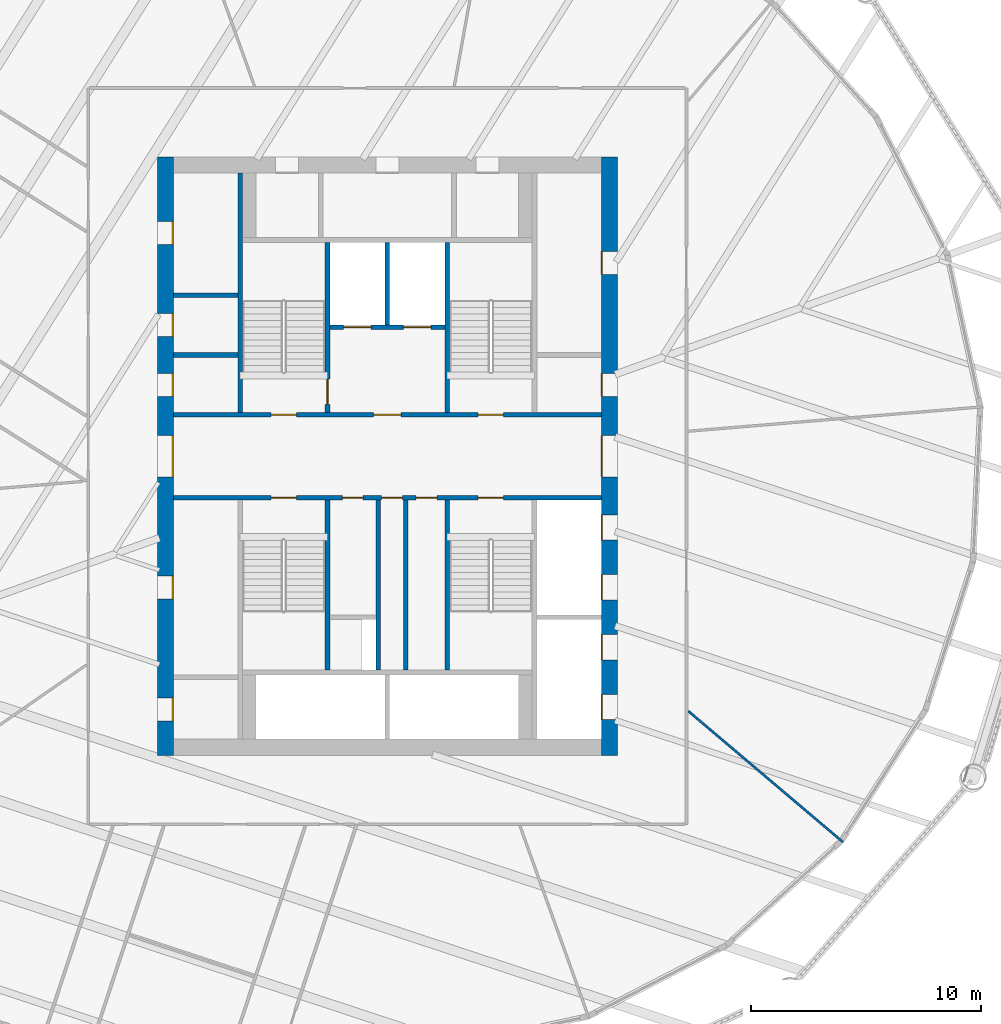
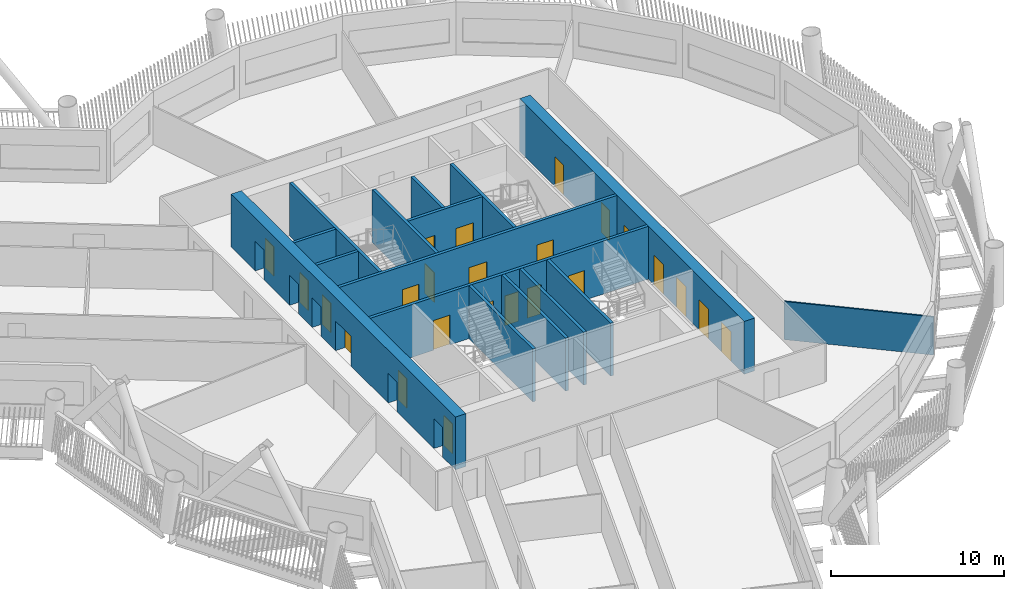
# One storey, part 5 of 22: 24 doors, 16 walls, 24 openings.
"""IFC4 building model written with IfcOpenShell, lengths in metres."""

from ifc_helpers import new_model, si_unit, direction, frame, frame_2d, origin, place, context, subcontext, project, spatial, rectangle, extrude, material, layer, layer_set, type_object, element, fill, save


model = new_model("IFC4")

# Units and contexts
model_context = context("Model", 3, precision=1e-05, world=origin(), true_north=direction((0.0, 1.0)))
body_context = subcontext(model_context, "Body", "Model", "MODEL_VIEW")
ifc_project = project(units=[si_unit("LENGTHUNIT", "METRE"), si_unit("AREAUNIT", "SQUARE_METRE"), si_unit("VOLUMEUNIT", "CUBIC_METRE"), si_unit("PLANEANGLEUNIT", "RADIAN"), si_unit("MASSUNIT", "GRAM", prefix="KILO")], contexts=[model_context])

# Site, building, storey
site_placement = place(None, origin())
site = spatial("IfcSite", under=ifc_project, at=site_placement, CompositionType="ELEMENT")
building_placement = place(site_placement, origin())
building = spatial("IfcBuilding", under=site, at=building_placement, Name="Tarsis Ring Headquarters", CompositionType="ELEMENT")
storey_placement = place(building_placement, frame((0.0, 0.0, 147.60009765625)))
storey = spatial("IfcBuildingStorey", under=building, at=storey_placement, Name="L33", CompositionType="ELEMENT", Elevation=147.60009765625)

# Walls
ifc_material_1 = material(Name="Blockwork", Category="masonry")
ifc_layer_1 = layer(ifc_material_1, 0.199951171875)
ifc_layer_set_1 = layer_set([ifc_layer_1], Name="Core blockwork wall 200")
wall_type_1 = type_object("IfcWallType", Name="Core blockwork wall 200", PredefinedType="PARTITIONING", material=ifc_layer_set_1)
for number, where, z_axis, x_axis, name in (
    (1, (-9.300048828125, 4.39990234375, 0.0), (0.0, 0.0, 1.0), (1.0, 0.0, 0.0), "Core partition WD5"),
    (2, (-9.300048828125, 7.0, 0.0), (0.0, 0.0, 1.0), (1.0, 0.0, 0.0), "Core partition WD6"),
):
    element("IfcWall", number, at=place(storey_placement, frame(where, z_axis=z_axis, x_axis=x_axis)), inside=storey, type_object=wall_type_1, Name=name, PredefinedType="PARTITIONING", context=body_context, shape_type="SweptSolid", body=[
        extrude(rectangle(XDim=2.800048828125, YDim=0.199951171875, at=frame_2d((1.39990234375, 0.0))), origin(), (0.0, 0.0, 1.0), 3.739990234375),
    ])
for number, where, z_axis, x_axis, name in (
    (3, (-0.39990234375, -9.300048828125, 0.0), (0.0, 0.0, 1.0), (0.0, 1.0, 0.0), "Core partition SV1"),
    (4, (0.800048828125, -9.300048828125, 0.0), (0.0, 0.0, 1.0), (0.0, 1.0, 0.0), "Core partition SV2"),
):
    element("IfcWall", number, at=place(storey_placement, frame(where, z_axis=z_axis, x_axis=x_axis)), inside=storey, type_object=wall_type_1, Name=name, PredefinedType="PARTITIONING", context=body_context, shape_type="SweptSolid", body=[
        extrude(rectangle(XDim=7.400146484375, YDim=0.199951171875, at=frame_2d((3.7001953125, 0.0))), origin(), (0.0, 0.0, 1.0), 3.739990234375),
    ])

# Wall, openings, doors
ifc_material_2 = material(Name="Concrete C60/75", Category="concrete")
ifc_layer_2 = layer(ifc_material_2, 0.699951171875)
ifc_layer_set_2 = layer_set([ifc_layer_2], Name="Core wall 700 C60/75")
wall_type_2 = type_object("IfcWallType", Name="Core wall 700 C60/75", PredefinedType="SHEAR", material=ifc_layer_set_2)
wall_1_placement = place(storey_placement, frame((-9.64990234375, -13.0, 0.0), z_axis=(0.0, 0.0, 1.0), x_axis=(0.0, 1.0, 0.0)))
wall_1 = element("IfcWall", 5, at=wall_1_placement, inside=storey, type_object=wall_type_2, Name="Core wall OW", PredefinedType="SHEAR", context=body_context, shape_type="SweptSolid", body=[
    extrude(rectangle(XDim=26.0, YDim=0.699951171875, at=frame_2d((13.0, 0.0))), origin(), (0.0, 0.0, 1.0), 3.739990234375),
])
opening_1_placement = place(wall_1_placement, frame((1.5, 0.0, 0.0)))
opening_1 = element("IfcOpeningElement", 6, at=opening_1_placement, cuts=wall_1, Name="Opening L33-C01", PredefinedType="OPENING", context=body_context, shape_type="SweptSolid", body=[
    extrude(rectangle(XDim=1.0, YDim=2.10009765625, at=frame_2d((0.5, 1.050048828125))), frame((0.0, 0.35986328125, 0.0), z_axis=(0.0, -1.0, 0.0), x_axis=(1.0, 0.0, 0.0)), (0.0, 0.0, 1.0), 0.719970703125),
])
opening_2_placement = place(wall_1_placement, frame((6.800048828125, 0.0, 0.0)))
opening_2 = element("IfcOpeningElement", 7, at=opening_2_placement, cuts=wall_1, Name="Opening L33-C02", PredefinedType="OPENING", context=body_context, shape_type="SweptSolid", body=[
    extrude(rectangle(XDim=1.0, YDim=2.10009765625, at=frame_2d((0.5, 1.050048828125))), frame((0.0, 0.35986328125, 0.0), z_axis=(0.0, -1.0, 0.0), x_axis=(1.0, 0.0, 0.0)), (0.0, 0.0, 1.0), 0.719970703125),
])
opening_3_placement = place(wall_1_placement, frame((12.10009765625, 0.0, 0.0)))
opening_3 = element("IfcOpeningElement", 8, at=opening_3_placement, cuts=wall_1, Name="Opening L33-C03", PredefinedType="OPENING", context=body_context, shape_type="SweptSolid", body=[
    extrude(rectangle(XDim=1.800048828125, YDim=2.10009765625, at=frame_2d((0.89990234375, 1.050048828125))), frame((0.0, 0.35986328125, 0.0), z_axis=(0.0, -1.0, 0.0), x_axis=(1.0, 0.0, 0.0)), (0.0, 0.0, 1.0), 0.719970703125),
])
opening_4_placement = place(wall_1_placement, frame((15.60009765625, 0.0, 0.0)))
opening_4 = element("IfcOpeningElement", 9, at=opening_4_placement, cuts=wall_1, Name="Opening L33-C04", PredefinedType="OPENING", context=body_context, shape_type="SweptSolid", body=[
    extrude(rectangle(XDim=1.0, YDim=2.10009765625, at=frame_2d((0.5, 1.050048828125))), frame((0.0, 0.35986328125, 0.0), z_axis=(0.0, -1.0, 0.0), x_axis=(1.0, 0.0, 0.0)), (0.0, 0.0, 1.0), 0.719970703125),
])
opening_5_placement = place(wall_1_placement, frame((18.199951171875, 0.0, 0.0)))
opening_5 = element("IfcOpeningElement", 10, at=opening_5_placement, cuts=wall_1, Name="Opening L33-C05", PredefinedType="OPENING", context=body_context, shape_type="SweptSolid", body=[
    extrude(rectangle(XDim=1.0, YDim=2.10009765625, at=frame_2d((0.5, 1.050048828125))), frame((0.0, 0.35986328125, 0.0), z_axis=(0.0, -1.0, 0.0), x_axis=(1.0, 0.0, 0.0)), (0.0, 0.0, 1.0), 0.719970703125),
])
opening_6_placement = place(wall_1_placement, frame((22.199951171875, 0.0, 0.0)))
opening_6 = element("IfcOpeningElement", 11, at=opening_6_placement, cuts=wall_1, Name="Opening L33-C06", PredefinedType="OPENING", context=body_context, shape_type="SweptSolid", body=[
    extrude(rectangle(XDim=1.0, YDim=2.10009765625, at=frame_2d((0.5, 1.050048828125))), frame((0.0, 0.35986328125, 0.0), z_axis=(0.0, -1.0, 0.0), x_axis=(1.0, 0.0, 0.0)), (0.0, 0.0, 1.0), 0.719970703125),
])
ifc_material_3 = material(Name="Steel S355", Category="steel")
door_type_1 = type_object("IfcDoorType", Name="Core entry door 1800x2100", OperationType="DOUBLE_DOOR_SINGLE_SWING", PredefinedType="DOOR", material=ifc_material_3)
door_1_placement = place(opening_3_placement, origin())
door_1 = element("IfcDoor", 12, at=door_1_placement, inside=storey, type_object=door_type_1, Name="Core entry door L33", OperationType="DOUBLE_DOOR_SINGLE_SWING", OverallHeight=2.10009765625, OverallWidth=1.800048828125, PredefinedType="DOOR", context=body_context, shape_type="SweptSolid", body=[
    extrude(rectangle(XDim=1.800048828125, YDim=2.10009765625, at=frame_2d((0.89990234375, 1.050048828125))), frame((0.0, -0.2998046875, 0.0), z_axis=(0.0, -1.0, 0.0), x_axis=(1.0, 0.0, 0.0)), (0.0, 0.0, 1.0), 0.050048828125),
])
fill(opening_3, door_1)
door_type_2 = type_object("IfcDoorType", Name="Core room door 1000x2100", OperationType="SINGLE_SWING_LEFT", PredefinedType="DOOR", material=ifc_material_3)
door_2_placement = place(opening_1_placement, origin())
door_2 = element("IfcDoor", 13, at=door_2_placement, inside=storey, type_object=door_type_2, Name="Core room door L33", OperationType="SINGLE_SWING_LEFT", OverallHeight=2.10009765625, OverallWidth=1.0, PredefinedType="DOOR", context=body_context, shape_type="SweptSolid", body=[
    extrude(rectangle(XDim=1.0, YDim=2.10009765625, at=frame_2d((0.5, 1.050048828125))), frame((0.0, -0.2998046875, 0.0), z_axis=(0.0, -1.0, 0.0), x_axis=(1.0, 0.0, 0.0)), (0.0, 0.0, 1.0), 0.050048828125),
])
fill(opening_1, door_2)
door_3_placement = place(opening_2_placement, origin())
door_3 = element("IfcDoor", 14, at=door_3_placement, inside=storey, type_object=door_type_2, Name="Core room door L33", OperationType="SINGLE_SWING_LEFT", OverallHeight=2.10009765625, OverallWidth=1.0, PredefinedType="DOOR", context=body_context, shape_type="SweptSolid", body=[
    extrude(rectangle(XDim=1.0, YDim=2.10009765625, at=frame_2d((0.5, 1.050048828125))), frame((0.0, -0.2998046875, 0.0), z_axis=(0.0, -1.0, 0.0), x_axis=(1.0, 0.0, 0.0)), (0.0, 0.0, 1.0), 0.050048828125),
])
fill(opening_2, door_3)
door_4_placement = place(opening_4_placement, origin())
door_4 = element("IfcDoor", 15, at=door_4_placement, inside=storey, type_object=door_type_2, Name="Core room door L33", OperationType="SINGLE_SWING_LEFT", OverallHeight=2.10009765625, OverallWidth=1.0, PredefinedType="DOOR", context=body_context, shape_type="SweptSolid", body=[
    extrude(rectangle(XDim=1.0, YDim=2.10009765625, at=frame_2d((0.5, 1.050048828125))), frame((0.0, -0.2998046875, 0.0), z_axis=(0.0, -1.0, 0.0), x_axis=(1.0, 0.0, 0.0)), (0.0, 0.0, 1.0), 0.050048828125),
])
fill(opening_4, door_4)
door_5_placement = place(opening_5_placement, origin())
door_5 = element("IfcDoor", 16, at=door_5_placement, inside=storey, type_object=door_type_2, Name="Core room door L33", OperationType="SINGLE_SWING_LEFT", OverallHeight=2.10009765625, OverallWidth=1.0, PredefinedType="DOOR", context=body_context, shape_type="SweptSolid", body=[
    extrude(rectangle(XDim=1.0, YDim=2.10009765625, at=frame_2d((0.5, 1.050048828125))), frame((0.0, -0.2998046875, 0.0), z_axis=(0.0, -1.0, 0.0), x_axis=(1.0, 0.0, 0.0)), (0.0, 0.0, 1.0), 0.050048828125),
])
fill(opening_5, door_5)
door_6_placement = place(opening_6_placement, origin())
door_6 = element("IfcDoor", 17, at=door_6_placement, inside=storey, type_object=door_type_2, Name="Core room door L33", OperationType="SINGLE_SWING_LEFT", OverallHeight=2.10009765625, OverallWidth=1.0, PredefinedType="DOOR", context=body_context, shape_type="SweptSolid", body=[
    extrude(rectangle(XDim=1.0, YDim=2.10009765625, at=frame_2d((0.5, 1.050048828125))), frame((0.0, -0.2998046875, 0.0), z_axis=(0.0, -1.0, 0.0), x_axis=(1.0, 0.0, 0.0)), (0.0, 0.0, 1.0), 0.050048828125),
])
fill(opening_6, door_6)

wall_2_placement = place(storey_placement, frame((9.64990234375, -13.0, 0.0), z_axis=(0.0, 0.0, 1.0), x_axis=(0.0, 1.0, 0.0)))
wall_2 = element("IfcWall", 18, at=wall_2_placement, inside=storey, type_object=wall_type_2, Name="Core wall OE", PredefinedType="SHEAR", context=body_context, shape_type="SweptSolid", body=[
    extrude(rectangle(XDim=26.0, YDim=0.699951171875, at=frame_2d((13.0, 0.0))), origin(), (0.0, 0.0, 1.0), 3.739990234375),
])
opening_7_placement = place(wall_2_placement, frame((1.550048828125, 0.0, 0.0)))
opening_7 = element("IfcOpeningElement", 19, at=opening_7_placement, cuts=wall_2, Name="Opening LD-MR1", PredefinedType="OPENING", context=body_context, shape_type="SweptSolid", body=[
    extrude(rectangle(XDim=1.10009765625, YDim=2.10009765625, at=frame_2d((0.550048828125, 1.050048828125))), frame((0.0, 0.35986328125, 0.0), z_axis=(0.0, -1.0, 0.0), x_axis=(1.0, 0.0, 0.0)), (0.0, 0.0, 1.0), 0.719970703125),
])
opening_8_placement = place(wall_2_placement, frame((4.14990234375, 0.0, 0.0)))
opening_8 = element("IfcOpeningElement", 20, at=opening_8_placement, cuts=wall_2, Name="Opening LD-MR2", PredefinedType="OPENING", context=body_context, shape_type="SweptSolid", body=[
    extrude(rectangle(XDim=1.10009765625, YDim=2.10009765625, at=frame_2d((0.550048828125, 1.050048828125))), frame((0.0, 0.35986328125, 0.0), z_axis=(0.0, -1.0, 0.0), x_axis=(1.0, 0.0, 0.0)), (0.0, 0.0, 1.0), 0.719970703125),
])
opening_9_placement = place(wall_2_placement, frame((6.75, 0.0, 0.0)))
opening_9 = element("IfcOpeningElement", 21, at=opening_9_placement, cuts=wall_2, Name="Opening LD-MR3", PredefinedType="OPENING", context=body_context, shape_type="SweptSolid", body=[
    extrude(rectangle(XDim=1.10009765625, YDim=2.10009765625, at=frame_2d((0.550048828125, 1.050048828125))), frame((0.0, 0.35986328125, 0.0), z_axis=(0.0, -1.0, 0.0), x_axis=(1.0, 0.0, 0.0)), (0.0, 0.0, 1.0), 0.719970703125),
])
opening_10_placement = place(wall_2_placement, frame((9.35009765625, 0.0, 0.0)))
opening_10 = element("IfcOpeningElement", 22, at=opening_10_placement, cuts=wall_2, Name="Opening LD-MR4", PredefinedType="OPENING", context=body_context, shape_type="SweptSolid", body=[
    extrude(rectangle(XDim=1.10009765625, YDim=2.10009765625, at=frame_2d((0.550048828125, 1.050048828125))), frame((0.0, 0.35986328125, 0.0), z_axis=(0.0, -1.0, 0.0), x_axis=(1.0, 0.0, 0.0)), (0.0, 0.0, 1.0), 0.719970703125),
])
opening_11_placement = place(wall_2_placement, frame((12.10009765625, 0.0, 0.0)))
opening_11 = element("IfcOpeningElement", 23, at=opening_11_placement, cuts=wall_2, Name="Opening L33-C11", PredefinedType="OPENING", context=body_context, shape_type="SweptSolid", body=[
    extrude(rectangle(XDim=1.800048828125, YDim=2.10009765625, at=frame_2d((0.89990234375, 1.050048828125))), frame((0.0, 0.35986328125, 0.0), z_axis=(0.0, -1.0, 0.0), x_axis=(1.0, 0.0, 0.0)), (0.0, 0.0, 1.0), 0.719970703125),
])
opening_12_placement = place(wall_2_placement, frame((15.60009765625, 0.0, 0.0)))
opening_12 = element("IfcOpeningElement", 24, at=opening_12_placement, cuts=wall_2, Name="Opening L33-C12", PredefinedType="OPENING", context=body_context, shape_type="SweptSolid", body=[
    extrude(rectangle(XDim=1.0, YDim=2.10009765625, at=frame_2d((0.5, 1.050048828125))), frame((0.0, 0.35986328125, 0.0), z_axis=(0.0, -1.0, 0.0), x_axis=(1.0, 0.0, 0.0)), (0.0, 0.0, 1.0), 0.719970703125),
])
opening_13_placement = place(wall_2_placement, frame((20.89990234375, 0.0, 0.0)))
opening_13 = element("IfcOpeningElement", 25, at=opening_13_placement, cuts=wall_2, Name="Opening L33-C13", PredefinedType="OPENING", context=body_context, shape_type="SweptSolid", body=[
    extrude(rectangle(XDim=1.0, YDim=2.10009765625, at=frame_2d((0.5, 1.050048828125))), frame((0.0, 0.35986328125, 0.0), z_axis=(0.0, -1.0, 0.0), x_axis=(1.0, 0.0, 0.0)), (0.0, 0.0, 1.0), 0.719970703125),
])
door_7_placement = place(opening_11_placement, origin())
door_7 = element("IfcDoor", 26, at=door_7_placement, inside=storey, type_object=door_type_1, Name="Core entry door L33", OperationType="DOUBLE_DOOR_SINGLE_SWING", OverallHeight=2.10009765625, OverallWidth=1.800048828125, PredefinedType="DOOR", context=body_context, shape_type="SweptSolid", body=[
    extrude(rectangle(XDim=1.800048828125, YDim=2.10009765625, at=frame_2d((0.89990234375, 1.050048828125))), frame((0.0, 0.35009765625, 0.0), z_axis=(0.0, -1.0, 0.0), x_axis=(1.0, 0.0, 0.0)), (0.0, 0.0, 1.0), 0.050048828125),
])
fill(opening_11, door_7)
door_8_placement = place(opening_12_placement, origin())
door_8 = element("IfcDoor", 27, at=door_8_placement, inside=storey, type_object=door_type_2, Name="Core room door L33", OperationType="SINGLE_SWING_LEFT", OverallHeight=2.10009765625, OverallWidth=1.0, PredefinedType="DOOR", context=body_context, shape_type="SweptSolid", body=[
    extrude(rectangle(XDim=1.0, YDim=2.10009765625, at=frame_2d((0.5, 1.050048828125))), frame((0.0, 0.35009765625, 0.0), z_axis=(0.0, -1.0, 0.0), x_axis=(1.0, 0.0, 0.0)), (0.0, 0.0, 1.0), 0.050048828125),
])
fill(opening_12, door_8)
door_9_placement = place(opening_13_placement, origin())
door_9 = element("IfcDoor", 28, at=door_9_placement, inside=storey, type_object=door_type_2, Name="Core room door L33", OperationType="SINGLE_SWING_LEFT", OverallHeight=2.10009765625, OverallWidth=1.0, PredefinedType="DOOR", context=body_context, shape_type="SweptSolid", body=[
    extrude(rectangle(XDim=1.0, YDim=2.10009765625, at=frame_2d((0.5, 1.050048828125))), frame((0.0, 0.35009765625, 0.0), z_axis=(0.0, -1.0, 0.0), x_axis=(1.0, 0.0, 0.0)), (0.0, 0.0, 1.0), 0.050048828125),
])
fill(opening_13, door_9)
door_type_3 = type_object("IfcDoorType", Name="Landing door 1100x2100", OperationType="SLIDING_TO_LEFT", PredefinedType="DOOR", material=ifc_material_3)
door_10_placement = place(opening_7_placement, origin())
door_10 = element("IfcDoor", 29, at=door_10_placement, inside=storey, type_object=door_type_3, Name="Landing door MR1 L33", OperationType="SLIDING_TO_LEFT", OverallHeight=2.10009765625, OverallWidth=1.10009765625, PredefinedType="DOOR", context=body_context, shape_type="SweptSolid", body=[
    extrude(rectangle(XDim=1.10009765625, YDim=2.10009765625, at=frame_2d((0.550048828125, 1.050048828125))), frame((0.0, 0.35009765625, 0.0), z_axis=(0.0, -1.0, 0.0), x_axis=(1.0, 0.0, 0.0)), (0.0, 0.0, 1.0), 0.050048828125),
])
fill(opening_7, door_10)
door_11_placement = place(opening_8_placement, origin())
door_11 = element("IfcDoor", 30, at=door_11_placement, inside=storey, type_object=door_type_3, Name="Landing door MR2 L33", OperationType="SLIDING_TO_LEFT", OverallHeight=2.10009765625, OverallWidth=1.10009765625, PredefinedType="DOOR", context=body_context, shape_type="SweptSolid", body=[
    extrude(rectangle(XDim=1.10009765625, YDim=2.10009765625, at=frame_2d((0.550048828125, 1.050048828125))), frame((0.0, 0.35009765625, 0.0), z_axis=(0.0, -1.0, 0.0), x_axis=(1.0, 0.0, 0.0)), (0.0, 0.0, 1.0), 0.050048828125),
])
fill(opening_8, door_11)
door_12_placement = place(opening_9_placement, origin())
door_12 = element("IfcDoor", 31, at=door_12_placement, inside=storey, type_object=door_type_3, Name="Landing door MR3 L33", OperationType="SLIDING_TO_LEFT", OverallHeight=2.10009765625, OverallWidth=1.10009765625, PredefinedType="DOOR", context=body_context, shape_type="SweptSolid", body=[
    extrude(rectangle(XDim=1.10009765625, YDim=2.10009765625, at=frame_2d((0.550048828125, 1.050048828125))), frame((0.0, 0.35009765625, 0.0), z_axis=(0.0, -1.0, 0.0), x_axis=(1.0, 0.0, 0.0)), (0.0, 0.0, 1.0), 0.050048828125),
])
fill(opening_9, door_12)
door_13_placement = place(opening_10_placement, origin())
door_13 = element("IfcDoor", 32, at=door_13_placement, inside=storey, type_object=door_type_3, Name="Landing door MR4 L33", OperationType="SLIDING_TO_LEFT", OverallHeight=2.10009765625, OverallWidth=1.10009765625, PredefinedType="DOOR", context=body_context, shape_type="SweptSolid", body=[
    extrude(rectangle(XDim=1.10009765625, YDim=2.10009765625, at=frame_2d((0.550048828125, 1.050048828125))), frame((0.0, 0.35009765625, 0.0), z_axis=(0.0, -1.0, 0.0), x_axis=(1.0, 0.0, 0.0)), (0.0, 0.0, 1.0), 0.050048828125),
])
fill(opening_10, door_13)

# Wall
ifc_material_4 = material(Name="Gypsum board on steel studs", Category="steel")
ifc_layer_3 = layer(ifc_material_4, 0.10009765625)
ifc_layer_set_3 = layer_set([ifc_layer_3], Name="FL partition 100 unrated")
wall_type_3 = type_object("IfcWallType", Name="FL partition 100 unrated", PredefinedType="PARTITIONING", material=ifc_layer_set_3)
wall_3_placement = place(storey_placement, frame((13.083984375, -11.080322265625, 0.0), z_axis=(0.0, 0.0, 1.0), x_axis=(0.763113740361, -0.646264202375, 0.0)))
element("IfcWall", 33, at=wall_3_placement, inside=storey, type_object=wall_type_3, Name="Partition PW3", PredefinedType="PARTITIONING", context=body_context, shape_type="SweptSolid", body=[
    extrude(rectangle(XDim=8.802490234375, YDim=0.10009765625, at=frame_2d((4.4013671875, 0.0))), origin(), (0.0, 0.0, 1.0), 2.699951171875),
])

# Wall, openings, doors
ifc_material_5 = material(Name="Concrete C32/40", Category="concrete")
ifc_layer_4 = layer(ifc_material_5, 0.199951171875)
ifc_layer_set_4 = layer_set([ifc_layer_4], Name="Shaft wall 200 C32/40")
wall_type_4 = type_object("IfcWallType", Name="Shaft wall 200 C32/40", PredefinedType="SOLIDWALL", material=ifc_layer_set_4)
wall_4_placement = place(storey_placement, frame((-9.300048828125, 1.800048828125, 0.0), z_axis=(0.0, 0.0, 1.0), x_axis=(1.0, 0.0, 0.0)))
wall_4 = element("IfcWall", 34, at=wall_4_placement, inside=storey, type_object=wall_type_4, Name="Core shaft wall CN", PredefinedType="SOLIDWALL", context=body_context, shape_type="SweptSolid", body=[
    extrude(rectangle(XDim=18.60009765625, YDim=0.199951171875, at=frame_2d((9.300048828125, 0.0))), origin(), (0.0, 0.0, 1.0), 3.739990234375),
])
opening_14_placement = place(wall_4_placement, frame((4.25, 0.0, 0.0)))
opening_14 = element("IfcOpeningElement", 35, at=opening_14_placement, cuts=wall_4, Name="Opening L33-C17", PredefinedType="OPENING", context=body_context, shape_type="SweptSolid", body=[
    extrude(rectangle(XDim=1.10009765625, YDim=2.10009765625, at=frame_2d((0.550048828125, 1.050048828125))), frame((0.0, 0.10986328125, 0.0), z_axis=(0.0, -1.0, 0.0), x_axis=(1.0, 0.0, 0.0)), (0.0, 0.0, 1.0), 0.219970703125),
])
opening_15_placement = place(wall_4_placement, frame((8.699951171875, 0.0, 0.0)))
opening_15 = element("IfcOpeningElement", 36, at=opening_15_placement, cuts=wall_4, Name="Opening L33-C18", PredefinedType="OPENING", context=body_context, shape_type="SweptSolid", body=[
    extrude(rectangle(XDim=1.199951171875, YDim=2.10009765625, at=frame_2d((0.60009765625, 1.050048828125))), frame((0.0, 0.10986328125, 0.0), z_axis=(0.0, -1.0, 0.0), x_axis=(1.0, 0.0, 0.0)), (0.0, 0.0, 1.0), 0.219970703125),
])
opening_16_placement = place(wall_4_placement, frame((13.25, 0.0, 0.0)))
opening_16 = element("IfcOpeningElement", 37, at=opening_16_placement, cuts=wall_4, Name="Opening L33-C19", PredefinedType="OPENING", context=body_context, shape_type="SweptSolid", body=[
    extrude(rectangle(XDim=1.10009765625, YDim=2.10009765625, at=frame_2d((0.550048828125, 1.050048828125))), frame((0.0, 0.10986328125, 0.0), z_axis=(0.0, -1.0, 0.0), x_axis=(1.0, 0.0, 0.0)), (0.0, 0.0, 1.0), 0.219970703125),
])
door_type_4 = type_object("IfcDoorType", Name="Firefighting lobby door 1200x2100", OperationType="DOUBLE_DOOR_SINGLE_SWING", PredefinedType="DOOR", material=ifc_material_3)
door_14_placement = place(opening_15_placement, origin())
door_14 = element("IfcDoor", 38, at=door_14_placement, inside=storey, type_object=door_type_4, Name="Firefighting lobby door L33", OperationType="DOUBLE_DOOR_SINGLE_SWING", OverallHeight=2.10009765625, OverallWidth=1.199951171875, PredefinedType="DOOR", context=body_context, shape_type="SweptSolid", body=[
    extrude(rectangle(XDim=1.199951171875, YDim=2.10009765625, at=frame_2d((0.60009765625, 1.050048828125))), frame((0.0, 0.02490234375, 0.0), z_axis=(0.0, -1.0, 0.0), x_axis=(1.0, 0.0, 0.0)), (0.0, 0.0, 1.0), 0.050048828125),
])
fill(opening_15, door_14)
door_type_5 = type_object("IfcDoorType", Name="Stair door 1100x2100", OperationType="SINGLE_SWING_LEFT", PredefinedType="DOOR", material=ifc_material_3)
door_15_placement = place(opening_14_placement, origin())
door_15 = element("IfcDoor", 39, at=door_15_placement, inside=storey, type_object=door_type_5, Name="Stair door L33", OperationType="SINGLE_SWING_LEFT", OverallHeight=2.10009765625, OverallWidth=1.10009765625, PredefinedType="DOOR", context=body_context, shape_type="SweptSolid", body=[
    extrude(rectangle(XDim=1.10009765625, YDim=2.10009765625, at=frame_2d((0.550048828125, 1.050048828125))), frame((0.0, 0.02490234375, 0.0), z_axis=(0.0, -1.0, 0.0), x_axis=(1.0, 0.0, 0.0)), (0.0, 0.0, 1.0), 0.050048828125),
])
fill(opening_14, door_15)
door_16_placement = place(opening_16_placement, origin())
door_16 = element("IfcDoor", 40, at=door_16_placement, inside=storey, type_object=door_type_5, Name="Stair door L33", OperationType="SINGLE_SWING_LEFT", OverallHeight=2.10009765625, OverallWidth=1.10009765625, PredefinedType="DOOR", context=body_context, shape_type="SweptSolid", body=[
    extrude(rectangle(XDim=1.10009765625, YDim=2.10009765625, at=frame_2d((0.550048828125, 1.050048828125))), frame((0.0, 0.02490234375, 0.0), z_axis=(0.0, -1.0, 0.0), x_axis=(1.0, 0.0, 0.0)), (0.0, 0.0, 1.0), 0.050048828125),
])
fill(opening_16, door_16)

wall_5_placement = place(storey_placement, frame((-9.300048828125, -1.800048828125, 0.0), z_axis=(0.0, 0.0, 1.0), x_axis=(1.0, 0.0, 0.0)))
wall_5 = element("IfcWall", 41, at=wall_5_placement, inside=storey, type_object=wall_type_4, Name="Core shaft wall CS", PredefinedType="SOLIDWALL", context=body_context, shape_type="SweptSolid", body=[
    extrude(rectangle(XDim=18.60009765625, YDim=0.199951171875, at=frame_2d((9.300048828125, 0.0))), origin(), (0.0, 0.0, 1.0), 3.739990234375),
])
opening_17_placement = place(wall_5_placement, frame((4.25, 0.0, 0.0)))
opening_17 = element("IfcOpeningElement", 42, at=opening_17_placement, cuts=wall_5, Name="Opening L33-C20", PredefinedType="OPENING", context=body_context, shape_type="SweptSolid", body=[
    extrude(rectangle(XDim=1.10009765625, YDim=2.10009765625, at=frame_2d((0.550048828125, 1.050048828125))), frame((0.0, 0.10986328125, 0.0), z_axis=(0.0, -1.0, 0.0), x_axis=(1.0, 0.0, 0.0)), (0.0, 0.0, 1.0), 0.219970703125),
])
opening_18_placement = place(wall_5_placement, frame((7.35009765625, 0.0, 0.0)))
opening_18 = element("IfcOpeningElement", 43, at=opening_18_placement, cuts=wall_5, Name="Opening L33-C21", PredefinedType="OPENING", context=body_context, shape_type="SweptSolid", body=[
    extrude(rectangle(XDim=0.89990234375, YDim=2.10009765625, at=frame_2d((0.449951171875, 1.050048828125))), frame((0.0, 0.10986328125, 0.0), z_axis=(0.0, -1.0, 0.0), x_axis=(1.0, 0.0, 0.0)), (0.0, 0.0, 1.0), 0.219970703125),
])
opening_19_placement = place(wall_5_placement, frame((9.050048828125, 0.0, 0.0)))
opening_19 = element("IfcOpeningElement", 44, at=opening_19_placement, cuts=wall_5, Name="Opening L33-C22", PredefinedType="OPENING", context=body_context, shape_type="SweptSolid", body=[
    extrude(rectangle(XDim=0.89990234375, YDim=2.10009765625, at=frame_2d((0.449951171875, 1.050048828125))), frame((0.0, 0.10986328125, 0.0), z_axis=(0.0, -1.0, 0.0), x_axis=(1.0, 0.0, 0.0)), (0.0, 0.0, 1.0), 0.219970703125),
])
opening_20_placement = place(wall_5_placement, frame((10.550048828125, 0.0, 0.0)))
opening_20 = element("IfcOpeningElement", 45, at=opening_20_placement, cuts=wall_5, Name="Opening L33-C23", PredefinedType="OPENING", context=body_context, shape_type="SweptSolid", body=[
    extrude(rectangle(XDim=0.89990234375, YDim=2.10009765625, at=frame_2d((0.449951171875, 1.050048828125))), frame((0.0, 0.10986328125, 0.0), z_axis=(0.0, -1.0, 0.0), x_axis=(1.0, 0.0, 0.0)), (0.0, 0.0, 1.0), 0.219970703125),
])
opening_21_placement = place(wall_5_placement, frame((13.25, 0.0, 0.0)))
opening_21 = element("IfcOpeningElement", 46, at=opening_21_placement, cuts=wall_5, Name="Opening L33-C24", PredefinedType="OPENING", context=body_context, shape_type="SweptSolid", body=[
    extrude(rectangle(XDim=1.10009765625, YDim=2.10009765625, at=frame_2d((0.550048828125, 1.050048828125))), frame((0.0, 0.10986328125, 0.0), z_axis=(0.0, -1.0, 0.0), x_axis=(1.0, 0.0, 0.0)), (0.0, 0.0, 1.0), 0.219970703125),
])
door_17_placement = place(opening_17_placement, origin())
door_17 = element("IfcDoor", 47, at=door_17_placement, inside=storey, type_object=door_type_5, Name="Stair door L33", OperationType="SINGLE_SWING_LEFT", OverallHeight=2.10009765625, OverallWidth=1.10009765625, PredefinedType="DOOR", context=body_context, shape_type="SweptSolid", body=[
    extrude(rectangle(XDim=1.10009765625, YDim=2.10009765625, at=frame_2d((0.550048828125, 1.050048828125))), frame((0.0, 0.02490234375, 0.0), z_axis=(0.0, -1.0, 0.0), x_axis=(1.0, 0.0, 0.0)), (0.0, 0.0, 1.0), 0.050048828125),
])
fill(opening_17, door_17)
door_18_placement = place(opening_21_placement, origin())
door_18 = element("IfcDoor", 48, at=door_18_placement, inside=storey, type_object=door_type_5, Name="Stair door L33", OperationType="SINGLE_SWING_LEFT", OverallHeight=2.10009765625, OverallWidth=1.10009765625, PredefinedType="DOOR", context=body_context, shape_type="SweptSolid", body=[
    extrude(rectangle(XDim=1.10009765625, YDim=2.10009765625, at=frame_2d((0.550048828125, 1.050048828125))), frame((0.0, 0.02490234375, 0.0), z_axis=(0.0, -1.0, 0.0), x_axis=(1.0, 0.0, 0.0)), (0.0, 0.0, 1.0), 0.050048828125),
])
fill(opening_21, door_18)
door_type_6 = type_object("IfcDoorType", Name="WC door 900x2100", OperationType="SINGLE_SWING_LEFT", PredefinedType="DOOR", material=ifc_material_3)
door_19_placement = place(opening_18_placement, origin())
door_19 = element("IfcDoor", 49, at=door_19_placement, inside=storey, type_object=door_type_6, Name="WC door L33", OperationType="SINGLE_SWING_LEFT", OverallHeight=2.10009765625, OverallWidth=0.89990234375, PredefinedType="DOOR", context=body_context, shape_type="SweptSolid", body=[
    extrude(rectangle(XDim=0.89990234375, YDim=2.10009765625, at=frame_2d((0.449951171875, 1.050048828125))), frame((0.0, 0.02490234375, 0.0), z_axis=(0.0, -1.0, 0.0), x_axis=(1.0, 0.0, 0.0)), (0.0, 0.0, 1.0), 0.050048828125),
])
fill(opening_18, door_19)
door_20_placement = place(opening_19_placement, origin())
door_20 = element("IfcDoor", 50, at=door_20_placement, inside=storey, type_object=door_type_6, Name="WC door L33", OperationType="SINGLE_SWING_LEFT", OverallHeight=2.10009765625, OverallWidth=0.89990234375, PredefinedType="DOOR", context=body_context, shape_type="SweptSolid", body=[
    extrude(rectangle(XDim=0.89990234375, YDim=2.10009765625, at=frame_2d((0.449951171875, 1.050048828125))), frame((0.0, 0.02490234375, 0.0), z_axis=(0.0, -1.0, 0.0), x_axis=(1.0, 0.0, 0.0)), (0.0, 0.0, 1.0), 0.050048828125),
])
fill(opening_19, door_20)
door_21_placement = place(opening_20_placement, origin())
door_21 = element("IfcDoor", 51, at=door_21_placement, inside=storey, type_object=door_type_6, Name="WC door L33", OperationType="SINGLE_SWING_LEFT", OverallHeight=2.10009765625, OverallWidth=0.89990234375, PredefinedType="DOOR", context=body_context, shape_type="SweptSolid", body=[
    extrude(rectangle(XDim=0.89990234375, YDim=2.10009765625, at=frame_2d((0.449951171875, 1.050048828125))), frame((0.0, 0.02490234375, 0.0), z_axis=(0.0, -1.0, 0.0), x_axis=(1.0, 0.0, 0.0)), (0.0, 0.0, 1.0), 0.050048828125),
])
fill(opening_20, door_21)

# Wall
wall_6_placement = place(storey_placement, frame((-6.39990234375, 1.89990234375, 0.0), z_axis=(0.0, 0.0, 1.0), x_axis=(0.0, 1.0, 0.0)))
element("IfcWall", 52, at=wall_6_placement, inside=storey, type_object=wall_type_4, Name="Core shaft wall WB2", PredefinedType="SOLIDWALL", context=body_context, shape_type="SweptSolid", body=[
    extrude(rectangle(XDim=10.400146484375, YDim=0.199951171875, at=frame_2d((5.2001953125, 0.0))), origin(), (0.0, 0.0, 1.0), 3.739990234375),
])

# Wall, opening, door
wall_7_placement = place(storey_placement, frame((-2.60009765625, 1.89990234375, 0.0), z_axis=(0.0, 0.0, 1.0), x_axis=(0.0, 1.0, 0.0)))
wall_7 = element("IfcWall", 53, at=wall_7_placement, inside=storey, type_object=wall_type_4, Name="Core shaft wall SW1", PredefinedType="SOLIDWALL", context=body_context, shape_type="SweptSolid", body=[
    extrude(rectangle(XDim=7.400146484375, YDim=0.199951171875, at=frame_2d((3.7001953125, 0.0))), origin(), (0.0, 0.0, 1.0), 3.739990234375),
])
opening_22_placement = place(wall_7_placement, frame((0.35009765625, 0.0, 0.0)))
opening_22 = element("IfcOpeningElement", 54, at=opening_22_placement, cuts=wall_7, Name="Opening L33-C25", PredefinedType="OPENING", context=body_context, shape_type="SweptSolid", body=[
    extrude(rectangle(XDim=1.10009765625, YDim=2.10009765625, at=frame_2d((0.550048828125, 1.050048828125))), frame((0.0, 0.10986328125, 0.0), z_axis=(0.0, -1.0, 0.0), x_axis=(1.0, 0.0, 0.0)), (0.0, 0.0, 1.0), 0.219970703125),
])
door_22_placement = place(opening_22_placement, origin())
door_22 = element("IfcDoor", 55, at=door_22_placement, inside=storey, type_object=door_type_5, Name="Stair door L33", OperationType="SINGLE_SWING_LEFT", OverallHeight=2.10009765625, OverallWidth=1.10009765625, PredefinedType="DOOR", context=body_context, shape_type="SweptSolid", body=[
    extrude(rectangle(XDim=1.10009765625, YDim=2.10009765625, at=frame_2d((0.550048828125, 1.050048828125))), frame((0.0, 0.02490234375, 0.0), z_axis=(0.0, -1.0, 0.0), x_axis=(1.0, 0.0, 0.0)), (0.0, 0.0, 1.0), 0.050048828125),
])
fill(opening_22, door_22)

# Walls
for number, where, z_axis, x_axis, name in (
    (56, (2.60009765625, 1.89990234375, 0.0), (0.0, 0.0, 1.0), (0.0, 1.0, 0.0), "Core shaft wall SW2"),
    (57, (-2.60009765625, -9.300048828125, 0.0), (0.0, 0.0, 1.0), (0.0, 1.0, 0.0), "Core shaft wall SW3"),
    (58, (2.60009765625, -9.300048828125, 0.0), (0.0, 0.0, 1.0), (0.0, 1.0, 0.0), "Core shaft wall SW4"),
):
    element("IfcWall", number, at=place(storey_placement, frame(where, z_axis=z_axis, x_axis=x_axis)), inside=storey, type_object=wall_type_4, Name=name, PredefinedType="SOLIDWALL", context=body_context, shape_type="SweptSolid", body=[
        extrude(rectangle(XDim=7.400146484375, YDim=0.199951171875, at=frame_2d((3.7001953125, 0.0))), origin(), (0.0, 0.0, 1.0), 3.739990234375),
    ])

# Wall, openings, doors
wall_8_placement = place(storey_placement, frame((-2.5, 5.60009765625, 0.0), z_axis=(0.0, 0.0, 1.0), x_axis=(1.0, 0.0, 0.0)))
wall_8 = element("IfcWall", 59, at=wall_8_placement, inside=storey, type_object=wall_type_4, Name="Core shaft wall FFN", PredefinedType="SOLIDWALL", context=body_context, shape_type="SweptSolid", body=[
    extrude(rectangle(XDim=5.0, YDim=0.199951171875, at=frame_2d((2.5, 0.0))), origin(), (0.0, 0.0, 1.0), 3.739990234375),
])
opening_23_placement = place(wall_8_placement, frame((0.60009765625, 0.0, 0.0)))
opening_23 = element("IfcOpeningElement", 60, at=opening_23_placement, cuts=wall_8, Name="Opening LDF-1", PredefinedType="OPENING", context=body_context, shape_type="SweptSolid", body=[
    extrude(rectangle(XDim=1.199951171875, YDim=2.10009765625, at=frame_2d((0.60009765625, 1.050048828125))), frame((0.0, 0.10986328125, 0.0), z_axis=(0.0, -1.0, 0.0), x_axis=(1.0, 0.0, 0.0)), (0.0, 0.0, 1.0), 0.219970703125),
])
opening_24_placement = place(wall_8_placement, frame((3.199951171875, 0.0, 0.0)))
opening_24 = element("IfcOpeningElement", 61, at=opening_24_placement, cuts=wall_8, Name="Opening LDF-2", PredefinedType="OPENING", context=body_context, shape_type="SweptSolid", body=[
    extrude(rectangle(XDim=1.199951171875, YDim=2.10009765625, at=frame_2d((0.60009765625, 1.050048828125))), frame((0.0, 0.10986328125, 0.0), z_axis=(0.0, -1.0, 0.0), x_axis=(1.0, 0.0, 0.0)), (0.0, 0.0, 1.0), 0.219970703125),
])
door_type_7 = type_object("IfcDoorType", Name="Firefighting landing door 1200x2100", OperationType="SLIDING_TO_LEFT", PredefinedType="DOOR", material=ifc_material_3)
door_23_placement = place(opening_23_placement, origin())
door_23 = element("IfcDoor", 62, at=door_23_placement, inside=storey, type_object=door_type_7, Name="Landing door FF1 L33", OperationType="SLIDING_TO_LEFT", OverallHeight=2.10009765625, OverallWidth=1.199951171875, PredefinedType="DOOR", context=body_context, shape_type="SweptSolid", body=[
    extrude(rectangle(XDim=1.199951171875, YDim=2.10009765625, at=frame_2d((0.60009765625, 1.050048828125))), frame((0.0, 0.02490234375, 0.0), z_axis=(0.0, -1.0, 0.0), x_axis=(1.0, 0.0, 0.0)), (0.0, 0.0, 1.0), 0.050048828125),
])
fill(opening_23, door_23)
door_24_placement = place(opening_24_placement, origin())
door_24 = element("IfcDoor", 63, at=door_24_placement, inside=storey, type_object=door_type_7, Name="Landing door FF2 L33", OperationType="SLIDING_TO_LEFT", OverallHeight=2.10009765625, OverallWidth=1.199951171875, PredefinedType="DOOR", context=body_context, shape_type="SweptSolid", body=[
    extrude(rectangle(XDim=1.199951171875, YDim=2.10009765625, at=frame_2d((0.60009765625, 1.050048828125))), frame((0.0, 0.02490234375, 0.0), z_axis=(0.0, -1.0, 0.0), x_axis=(1.0, 0.0, 0.0)), (0.0, 0.0, 1.0), 0.050048828125),
])
fill(opening_24, door_24)

# Wall
wall_9_placement = place(storey_placement, frame((0.0, 5.699951171875, 0.0), z_axis=(0.0, 0.0, 1.0), x_axis=(0.0, 1.0, 0.0)))
element("IfcWall", 64, at=wall_9_placement, inside=storey, type_object=wall_type_4, Name="Core shaft wall FFD", PredefinedType="SOLIDWALL", context=body_context, shape_type="SweptSolid", body=[
    extrude(rectangle(XDim=3.60009765625, YDim=0.199951171875, at=frame_2d((1.800048828125, 0.0))), origin(), (0.0, 0.0, 1.0), 3.739990234375),
])

save(model, "model.ifc")
